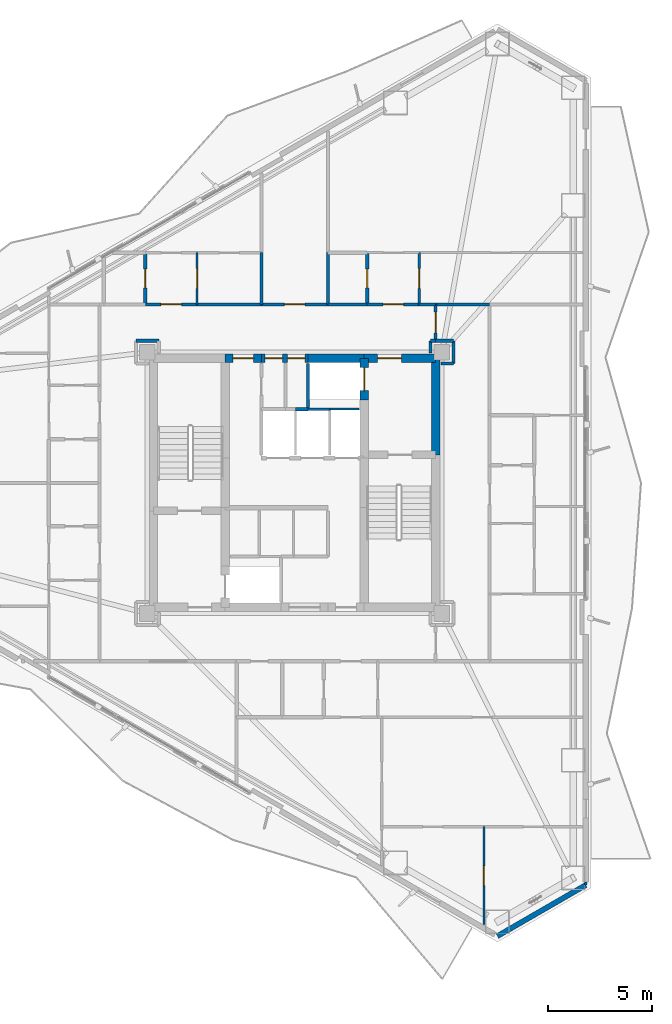
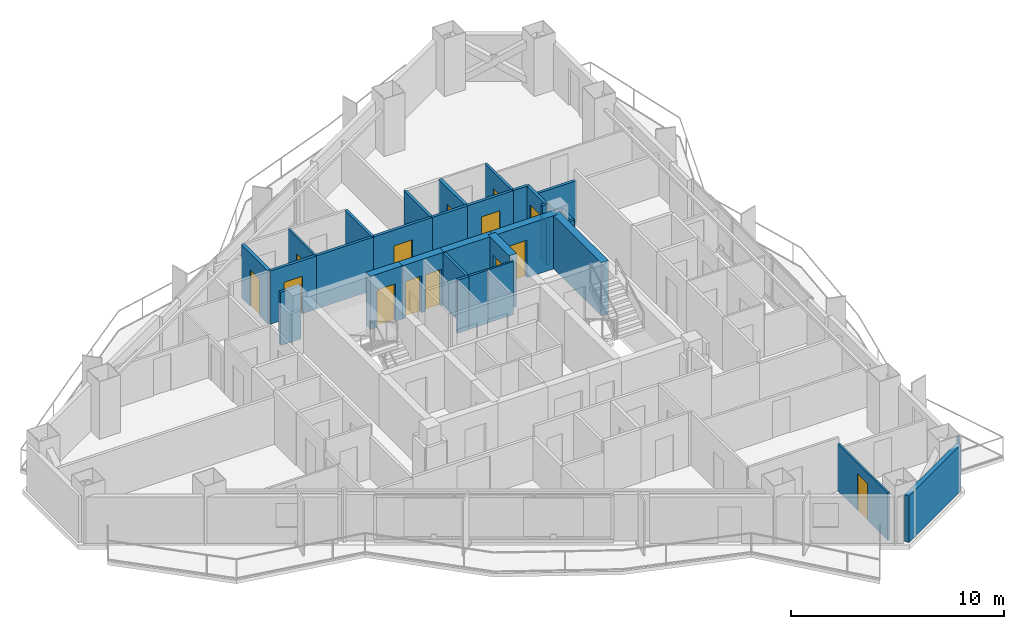
# One storey, part 18 of 23: 33 walls, 14 doors, 14 openings.
"""IFC4 building model written with IfcOpenShell, lengths in metres."""

from ifc_helpers import new_model, si_unit, direction, frame, frame_2d, origin, place, context, subcontext, project, spatial, rectangle, extrude, material, layer, layer_set, type_object, element, fill, save


model = new_model("IFC4")

# Units and contexts
model_context = context("Model", 3, precision=1e-05, world=origin(), true_north=direction((0.0, 1.0)))
body_context = subcontext(model_context, "Body", "Model", "MODEL_VIEW")
ifc_project = project(units=[si_unit("LENGTHUNIT", "METRE"), si_unit("AREAUNIT", "SQUARE_METRE"), si_unit("VOLUMEUNIT", "CUBIC_METRE"), si_unit("PLANEANGLEUNIT", "RADIAN"), si_unit("MASSUNIT", "GRAM", prefix="KILO")], contexts=[model_context])

# Site, building, storey
site_placement = place(None, origin())
site = spatial("IfcSite", under=ifc_project, at=site_placement, CompositionType="ELEMENT")
building_placement = place(site_placement, origin())
building = spatial("IfcBuilding", under=site, at=building_placement, Name="Mersakhor Tower and Convention Hall", CompositionType="ELEMENT")
storey_placement = place(building_placement, frame((0.0, 0.0, 106.5)))
storey = spatial("IfcBuildingStorey", under=building, at=storey_placement, Name="L29", CompositionType="ELEMENT", Elevation=106.5)

# Wall
ifc_material_1 = material(Name="Precast concrete C40/50", Category="concrete")
ifc_layer_1 = layer(ifc_material_1, 0.25)
ifc_layer_set_1 = layer_set([ifc_layer_1], Name="Precast concrete C40/50")
wall_type_1 = type_object("IfcWallType", Name="WL-EXT-250", PredefinedType="SOLIDWALL", material=ifc_layer_set_1)
wall_1_placement = place(storey_placement, frame((43.03466796875, 7.355712890625, 0.0), z_axis=(0.0, 0.0, 1.0), x_axis=(-0.866011848704, -0.500023477353, 0.0)))
element("IfcWall", 1, at=wall_1_placement, inside=storey, type_object=wall_type_1, Name="L29 Chamfer Braced Spandrel Wall C2", PredefinedType="SOLIDWALL", context=body_context, shape_type="SweptSolid", body=[
    extrude(rectangle(XDim=4.914306640625, YDim=0.25, at=frame_2d((2.45703125, 0.0))), origin(), (0.0, 0.0, 1.0), 2.669921875),
])

# Wall, opening, door
ifc_material_2 = material(Name="Moisture-resistant acoustic drywall studwork", Category="other")
ifc_layer_2 = layer(ifc_material_2, 0.175048828125)
ifc_layer_set_2 = layer_set([ifc_layer_2], Name="Moisture-resistant acoustic drywall studwork")
wall_type_2 = type_object("IfcWallType", Name="WL-PLM-175", PredefinedType="PLUMBINGWALL", material=ifc_layer_set_2)
wall_2_placement = place(storey_placement, frame((21.800048828125, 35.35009765625, 0.0), z_axis=(0.0, 0.0, 1.0), x_axis=(0.0, 1.0, 0.0)))
wall_2 = element("IfcWall", 2, at=wall_2_placement, inside=storey, type_object=wall_type_2, Name="L29 Interior Partition Wall P-067", PredefinedType="PLUMBINGWALL", context=body_context, shape_type="SweptSolid", body=[
    extrude(rectangle(XDim=2.5, YDim=0.175048828125, at=frame_2d((1.25, 0.0))), origin(), (0.0, 0.0, 1.0), 3.050048828125),
])
opening_1_placement = place(wall_2_placement, frame((0.800048828125, 0.0, 0.0)))
opening_1 = element("IfcOpeningElement", 3, at=opening_1_placement, cuts=wall_2, Name="Opening WD-01", PredefinedType="OPENING", context=body_context, shape_type="SweptSolid", body=[
    extrude(rectangle(XDim=0.89990234375, YDim=2.10009765625, at=frame_2d((0.449951171875, 1.050048828125))), frame((0.0, 0.097412109375, 0.0), z_axis=(0.0, -1.0, 0.0), x_axis=(1.0, 0.0, 0.0)), (0.0, 0.0, 1.0), 0.195068359375),
])
ifc_material_3 = material(Name="Solid-core hardwood leaf in painted steel frame", Category="steel")
door_type_1 = type_object("IfcDoorType", Name="DR-INT-WET-090x210", OperationType="NOTDEFINED", PredefinedType="DOOR", material=ifc_material_3)
door_1_placement = place(opening_1_placement, origin())
door_1 = element("IfcDoor", 4, at=door_1_placement, inside=storey, type_object=door_type_1, Name="L29 L29 Flat N1 Apartment Hall to L29 Flat N1 Bathroom Door", OperationType="SINGLE_SWING_RIGHT", OverallHeight=2.10009765625, OverallWidth=0.89990234375, PredefinedType="DOOR", context=body_context, shape_type="SweptSolid", body=[
    extrude(rectangle(XDim=0.89990234375, YDim=2.10009765625, at=frame_2d((0.449951171875, 1.050048828125))), frame((0.0, 0.02490234375, 0.0), z_axis=(0.0, -1.0, 0.0), x_axis=(1.0, 0.0, 0.0)), (0.0, 0.0, 1.0), 0.050048828125),
])
fill(opening_1, door_1)

wall_3_placement = place(storey_placement, frame((32.5, 35.35009765625, 0.0), z_axis=(0.0, 0.0, 1.0), x_axis=(0.0, 1.0, 0.0)))
wall_3 = element("IfcWall", 5, at=wall_3_placement, inside=storey, type_object=wall_type_2, Name="L29 Interior Partition Wall P-070", PredefinedType="PLUMBINGWALL", context=body_context, shape_type="SweptSolid", body=[
    extrude(rectangle(XDim=2.5, YDim=0.175048828125, at=frame_2d((1.25, 0.0))), origin(), (0.0, 0.0, 1.0), 3.050048828125),
])
opening_2_placement = place(wall_3_placement, frame((0.800048828125, 0.0, 0.0)))
opening_2 = element("IfcOpeningElement", 6, at=opening_2_placement, cuts=wall_3, Name="Opening WD-01", PredefinedType="OPENING", context=body_context, shape_type="SweptSolid", body=[
    extrude(rectangle(XDim=0.89990234375, YDim=2.10009765625, at=frame_2d((0.449951171875, 1.050048828125))), frame((0.0, 0.097412109375, 0.0), z_axis=(0.0, -1.0, 0.0), x_axis=(1.0, 0.0, 0.0)), (0.0, 0.0, 1.0), 0.195068359375),
])
door_2_placement = place(opening_2_placement, origin())
door_2 = element("IfcDoor", 7, at=door_2_placement, inside=storey, type_object=door_type_1, Name="L29 L29 Flat N2 Apartment Hall to L29 Flat N2 Bathroom Door", OperationType="SINGLE_SWING_LEFT", OverallHeight=2.10009765625, OverallWidth=0.89990234375, PredefinedType="DOOR", context=body_context, shape_type="SweptSolid", body=[
    extrude(rectangle(XDim=0.89990234375, YDim=2.10009765625, at=frame_2d((0.449951171875, 1.050048828125))), frame((0.0, 0.02490234375, 0.0), z_axis=(0.0, -1.0, 0.0), x_axis=(1.0, 0.0, 0.0)), (0.0, 0.0, 1.0), 0.050048828125),
])
fill(opening_2, door_2)

# Wall
ifc_material_4 = material(Name="Lightweight gypsum partition", Category="other")
ifc_layer_3 = layer(ifc_material_4, 0.10009765625)
ifc_layer_set_3 = layer_set([ifc_layer_3], Name="Lightweight gypsum partition")
wall_type_3 = type_object("IfcWallType", Name="WL-PRT-100", PredefinedType="PARTITIONING", material=ifc_layer_set_3)
wall_4_placement = place(storey_placement, frame((32.10009765625, 30.300048828125, 0.0), z_axis=(0.0, 0.0, 1.0), x_axis=(-1.0, 0.0, 0.0)))
element("IfcWall", 8, at=wall_4_placement, inside=storey, type_object=wall_type_3, Name="L29 Interior Partition Wall P-004", PredefinedType="PARTITIONING", context=body_context, shape_type="SweptSolid", body=[
    extrude(rectangle(XDim=1.400146484375, YDim=0.10009765625, at=frame_2d((0.7001953125, 0.0))), origin(), (0.0, 0.0, 1.0), 3.050048828125),
])

# Wall, opening, door
wall_5_placement = place(storey_placement, frame((24.300048828125, 37.85009765625, 0.0), z_axis=(0.0, 0.0, 1.0), x_axis=(0.0, -1.0, 0.0)))
wall_5 = element("IfcWall", 9, at=wall_5_placement, inside=storey, type_object=wall_type_3, Name="L29 Interior Partition Wall P-066", PredefinedType="PARTITIONING", context=body_context, shape_type="SweptSolid", body=[
    extrude(rectangle(XDim=2.5, YDim=0.10009765625, at=frame_2d((1.25, 0.0))), origin(), (0.0, 0.0, 1.0), 3.050048828125),
])
opening_3_placement = place(wall_5_placement, frame((0.77490234375, 0.0, 0.0)))
opening_3 = element("IfcOpeningElement", 10, at=opening_3_placement, cuts=wall_5, Name="Opening RD-01", PredefinedType="OPENING", context=body_context, shape_type="SweptSolid", body=[
    extrude(rectangle(XDim=0.949951171875, YDim=2.10009765625, at=frame_2d((0.47509765625, 1.050048828125))), frame((0.0, 0.06005859375, 0.0), z_axis=(0.0, -1.0, 0.0), x_axis=(1.0, 0.0, 0.0)), (0.0, 0.0, 1.0), 0.1201171875),
])
ifc_material_5 = material(Name="Solid-core hardwood leaf in painted steel frame", Category="steel")
door_type_2 = type_object("IfcDoorType", Name="DR-INT-RM-095x210", OperationType="NOTDEFINED", PredefinedType="DOOR", material=ifc_material_5)
door_3_placement = place(opening_3_placement, origin())
door_3 = element("IfcDoor", 11, at=door_3_placement, inside=storey, type_object=door_type_2, Name="L29 L29 Flat N1 Apartment Hall to L29 Flat N1 Kitchen Door", OperationType="SINGLE_SWING_LEFT", OverallHeight=2.10009765625, OverallWidth=0.949951171875, PredefinedType="DOOR", context=body_context, shape_type="SweptSolid", body=[
    extrude(rectangle(XDim=0.949951171875, YDim=2.10009765625, at=frame_2d((0.47509765625, 1.050048828125))), frame((0.0, 0.02490234375, 0.0), z_axis=(0.0, -1.0, 0.0), x_axis=(1.0, 0.0, 0.0)), (0.0, 0.0, 1.0), 0.050048828125),
])
fill(opening_3, door_3)

wall_6_placement = place(storey_placement, frame((38.1201171875, 10.169921875, 0.0), z_axis=(0.0, 0.0, 1.0), x_axis=(0.0, -1.0, 0.0)))
wall_6 = element("IfcWall", 12, at=wall_6_placement, inside=storey, type_object=wall_type_3, Name="L29 Interior Partition Wall P-122", PredefinedType="PARTITIONING", context=body_context, shape_type="SweptSolid", body=[
    extrude(rectangle(XDim=4.718994140625, YDim=0.10009765625, at=frame_2d((2.359375, 0.0))), origin(), (0.0, 0.0, 1.0), 2.714599609375),
])
opening_4_placement = place(wall_6_placement, frame((1.884521484375, 0.0, 0.0)))
opening_4 = element("IfcOpeningElement", 13, at=opening_4_placement, cuts=wall_6, Name="Opening RD-01", PredefinedType="OPENING", context=body_context, shape_type="SweptSolid", body=[
    extrude(rectangle(XDim=0.949951171875, YDim=2.10009765625, at=frame_2d((0.47509765625, 1.050048828125))), frame((0.0, 0.06005859375, 0.0), z_axis=(0.0, -1.0, 0.0), x_axis=(1.0, 0.0, 0.0)), (0.0, 0.0, 1.0), 0.1201171875),
])
door_4_placement = place(opening_4_placement, origin())
door_4 = element("IfcDoor", 14, at=door_4_placement, inside=storey, type_object=door_type_2, Name="L29 L29 Flat S3 Bedroom 1 to L29 Flat S3 Study Room Door", OperationType="SINGLE_SWING_RIGHT", OverallHeight=2.10009765625, OverallWidth=0.949951171875, PredefinedType="DOOR", context=body_context, shape_type="SweptSolid", body=[
    extrude(rectangle(XDim=0.949951171875, YDim=2.10009765625, at=frame_2d((0.47509765625, 1.050048828125))), frame((0.0, 0.02490234375, 0.0), z_axis=(0.0, -1.0, 0.0), x_axis=(1.0, 0.0, 0.0)), (0.0, 0.0, 1.0), 0.050048828125),
])
fill(opening_4, door_4)

# Walls
wall_7_placement = place(storey_placement, frame((43.034912109375, 7.505615234375, 0.0), z_axis=(0.0, 0.0, 1.0), x_axis=(0.0, -1.0, 0.0)))
element("IfcWall", 15, at=wall_7_placement, inside=storey, type_object=wall_type_3, Name="L29 Interior Partition Wall P-124", PredefinedType="PARTITIONING", context=body_context, shape_type="SweptSolid", body=[
    extrude(rectangle(XDim=0.149658203125, YDim=0.10009765625, at=frame_2d((0.07470703125, 0.0))), origin(), (0.0, 0.0, 1.0), 3.050048828125),
])
ifc_material_6 = material(Name="Gypsum board acoustic partition", Category="other")
ifc_layer_4 = layer(ifc_material_6, 0.125)
ifc_layer_set_4 = layer_set([ifc_layer_4], Name="Gypsum board acoustic partition")
wall_type_4 = type_object("IfcWallType", Name="WL-PRT-125", PredefinedType="PARTITIONING", material=ifc_layer_set_4)
wall_8_placement = place(storey_placement, frame((30.699951171875, 30.300048828125, 0.0), z_axis=(0.0, 0.0, 1.0), x_axis=(-1.0, 0.0, 0.0)))
element("IfcWall", 16, at=wall_8_placement, inside=storey, type_object=wall_type_4, Name="L29 Interior Partition Wall P-005", PredefinedType="PARTITIONING", context=body_context, shape_type="SweptSolid", body=[
    extrude(rectangle(XDim=1.050048828125, YDim=0.125, at=frame_2d((0.52490234375, 0.0))), origin(), (0.0, 0.0, 1.0), 3.050048828125),
])

# Wall, opening, door
wall_9_placement = place(storey_placement, frame((35.0, 37.85009765625, 0.0), z_axis=(0.0, 0.0, 1.0), x_axis=(0.0, -1.0, 0.0)))
wall_9 = element("IfcWall", 17, at=wall_9_placement, inside=storey, type_object=wall_type_4, Name="L29 Interior Partition Wall P-069", PredefinedType="PARTITIONING", context=body_context, shape_type="SweptSolid", body=[
    extrude(rectangle(XDim=2.5, YDim=0.125, at=frame_2d((1.25, 0.0))), origin(), (0.0, 0.0, 1.0), 3.050048828125),
])
opening_5_placement = place(wall_9_placement, frame((0.77490234375, 0.0, 0.0)))
opening_5 = element("IfcOpeningElement", 18, at=opening_5_placement, cuts=wall_9, Name="Opening RD-01", PredefinedType="OPENING", context=body_context, shape_type="SweptSolid", body=[
    extrude(rectangle(XDim=0.949951171875, YDim=2.10009765625, at=frame_2d((0.47509765625, 1.050048828125))), frame((0.0, 0.072509765625, 0.0), z_axis=(0.0, -1.0, 0.0), x_axis=(1.0, 0.0, 0.0)), (0.0, 0.0, 1.0), 0.14501953125),
])
door_5_placement = place(opening_5_placement, origin())
door_5 = element("IfcDoor", 19, at=door_5_placement, inside=storey, type_object=door_type_2, Name="L29 L29 Flat N2 Apartment Hall to L29 Flat N2 Kitchen Door", OperationType="SINGLE_SWING_RIGHT", OverallHeight=2.10009765625, OverallWidth=0.949951171875, PredefinedType="DOOR", context=body_context, shape_type="SweptSolid", body=[
    extrude(rectangle(XDim=0.949951171875, YDim=2.10009765625, at=frame_2d((0.47509765625, 1.050048828125))), frame((0.0, 0.02490234375, 0.0), z_axis=(0.0, -1.0, 0.0), x_axis=(1.0, 0.0, 0.0)), (0.0, 0.0, 1.0), 0.050048828125),
])
fill(opening_5, door_5)

# Walls
ifc_material_7 = material(Name="Fire-rated gypsum board stud partition", Category="other")
ifc_layer_5 = layer(ifc_material_7, 0.14990234375)
ifc_layer_set_5 = layer_set([ifc_layer_5], Name="Fire-rated gypsum board stud partition")
wall_type_5 = type_object("IfcWallType", Name="WL-PRT-150", PredefinedType="PARTITIONING", material=ifc_layer_set_5)
wall_10_placement = place(storey_placement, frame((29.64990234375, 30.300048828125, 0.0), z_axis=(0.0, 0.0, 1.0), x_axis=(0.0, 1.0, 0.0)))
element("IfcWall", 20, at=wall_10_placement, inside=storey, type_object=wall_type_5, Name="L29 Interior Partition Wall P-006", PredefinedType="PARTITIONING", context=body_context, shape_type="SweptSolid", body=[
    extrude(rectangle(XDim=2.199951171875, YDim=0.14990234375, at=frame_2d((1.10009765625, 0.0))), origin(), (0.0, 0.0, 1.0), 3.050048828125),
])
wall_11_placement = place(storey_placement, frame((29.050048828125, 30.300048828125, 0.0), z_axis=(0.0, 0.0, 1.0), x_axis=(1.0, 0.0, 0.0)))
element("IfcWall", 21, at=wall_11_placement, inside=storey, type_object=wall_type_5, Name="L29 Interior Partition Wall P-016", PredefinedType="PARTITIONING", context=body_context, shape_type="SweptSolid", body=[
    extrude(rectangle(XDim=0.599853515625, YDim=0.14990234375, at=frame_2d((0.2998046875, 0.0))), origin(), (0.0, 0.0, 1.0), 3.050048828125),
])

# Wall, opening, door
wall_12_placement = place(storey_placement, frame((21.800048828125, 35.35009765625, 0.0), z_axis=(0.0, 0.0, 1.0), x_axis=(1.0, 0.0, 0.0)))
wall_12 = element("IfcWall", 22, at=wall_12_placement, inside=storey, type_object=wall_type_5, Name="L29 Interior Partition Wall P-037", PredefinedType="PARTITIONING", context=body_context, shape_type="SweptSolid", body=[
    extrude(rectangle(XDim=2.5, YDim=0.14990234375, at=frame_2d((1.25, 0.0))), origin(), (0.0, 0.0, 1.0), 3.050048828125),
])
opening_6_placement = place(wall_12_placement, frame((0.75, 0.0, 0.0)))
opening_6 = element("IfcOpeningElement", 23, at=opening_6_placement, cuts=wall_12, Name="Opening FD-01", PredefinedType="OPENING", context=body_context, shape_type="SweptSolid", body=[
    extrude(rectangle(XDim=1.0, YDim=2.14990234375, at=frame_2d((0.5, 1.074951171875))), frame((0.0, 0.0849609375, 0.0), z_axis=(0.0, -1.0, 0.0), x_axis=(1.0, 0.0, 0.0)), (0.0, 0.0, 1.0), 0.169921875),
])
ifc_material_8 = material(Name="Fire-rated hardwood leaf and painted steel frame", Category="steel")
door_type_3 = type_object("IfcDoorType", Name="DR-INT-FLT-100x215", OperationType="NOTDEFINED", PredefinedType="DOOR", material=ifc_material_8)
door_6_placement = place(opening_6_placement, origin())
door_6 = element("IfcDoor", 24, at=door_6_placement, inside=storey, type_object=door_type_3, Name="L29 Apartment Entrance Door (Residential Ring Corridor to L29 Flat N1 Apartment Hall)", OperationType="SINGLE_SWING_LEFT", OverallHeight=2.14990234375, OverallWidth=1.0, PredefinedType="DOOR", context=body_context, shape_type="SweptSolid", body=[
    extrude(rectangle(XDim=1.0, YDim=2.14990234375, at=frame_2d((0.5, 1.074951171875))), frame((0.0, 0.02490234375, 0.0), z_axis=(0.0, -1.0, 0.0), x_axis=(1.0, 0.0, 0.0)), (0.0, 0.0, 1.0), 0.050048828125),
])
fill(opening_6, door_6)

# Wall
wall_13_placement = place(storey_placement, frame((24.300048828125, 35.35009765625, 0.0), z_axis=(0.0, 0.0, 1.0), x_axis=(1.0, 0.0, 0.0)))
element("IfcWall", 25, at=wall_13_placement, inside=storey, type_object=wall_type_5, Name="L29 Interior Partition Wall P-038", PredefinedType="PARTITIONING", context=body_context, shape_type="SweptSolid", body=[
    extrude(rectangle(XDim=3.099853515625, YDim=0.14990234375, at=frame_2d((1.5498046875, 0.0))), origin(), (0.0, 0.0, 1.0), 3.050048828125),
])

# Wall, opening, door
wall_14_placement = place(storey_placement, frame((27.39990234375, 35.35009765625, 0.0), z_axis=(0.0, 0.0, 1.0), x_axis=(1.0, 0.0, 0.0)))
wall_14 = element("IfcWall", 26, at=wall_14_placement, inside=storey, type_object=wall_type_5, Name="L29 Interior Partition Wall P-039", PredefinedType="PARTITIONING", context=body_context, shape_type="SweptSolid", body=[
    extrude(rectangle(XDim=3.2001953125, YDim=0.14990234375, at=frame_2d((1.60009765625, 0.0))), origin(), (0.0, 0.0, 1.0), 3.050048828125),
])
opening_7_placement = place(wall_14_placement, frame((1.10009765625, 0.0, 0.0)))
opening_7 = element("IfcOpeningElement", 27, at=opening_7_placement, cuts=wall_14, Name="Opening FD-01", PredefinedType="OPENING", context=body_context, shape_type="SweptSolid", body=[
    extrude(rectangle(XDim=1.0, YDim=2.14990234375, at=frame_2d((0.5, 1.074951171875))), frame((0.0, 0.0849609375, 0.0), z_axis=(0.0, -1.0, 0.0), x_axis=(1.0, 0.0, 0.0)), (0.0, 0.0, 1.0), 0.169921875),
])
door_7_placement = place(opening_7_placement, origin())
door_7 = element("IfcDoor", 28, at=door_7_placement, inside=storey, type_object=door_type_3, Name="L29 Residential Ring Corridor to L29 North Wing Quiet Study Room Door", OperationType="SINGLE_SWING_LEFT", OverallHeight=2.14990234375, OverallWidth=1.0, PredefinedType="DOOR", context=body_context, shape_type="SweptSolid", body=[
    extrude(rectangle(XDim=1.0, YDim=2.14990234375, at=frame_2d((0.5, 1.074951171875))), frame((0.0, 0.02490234375, 0.0), z_axis=(0.0, -1.0, 0.0), x_axis=(1.0, 0.0, 0.0)), (0.0, 0.0, 1.0), 0.050048828125),
])
fill(opening_7, door_7)

# Wall
wall_15_placement = place(storey_placement, frame((30.60009765625, 35.35009765625, 0.0), z_axis=(0.0, 0.0, 1.0), x_axis=(1.0, 0.0, 0.0)))
element("IfcWall", 29, at=wall_15_placement, inside=storey, type_object=wall_type_5, Name="L29 Interior Partition Wall P-040", PredefinedType="PARTITIONING", context=body_context, shape_type="SweptSolid", body=[
    extrude(rectangle(XDim=1.89990234375, YDim=0.14990234375, at=frame_2d((0.949951171875, 0.0))), origin(), (0.0, 0.0, 1.0), 3.050048828125),
])

# Wall, opening, door
wall_16_placement = place(storey_placement, frame((32.5, 35.35009765625, 0.0), z_axis=(0.0, 0.0, 1.0), x_axis=(1.0, 0.0, 0.0)))
wall_16 = element("IfcWall", 30, at=wall_16_placement, inside=storey, type_object=wall_type_5, Name="L29 Interior Partition Wall P-041", PredefinedType="PARTITIONING", context=body_context, shape_type="SweptSolid", body=[
    extrude(rectangle(XDim=2.5, YDim=0.14990234375, at=frame_2d((1.25, 0.0))), origin(), (0.0, 0.0, 1.0), 3.050048828125),
])
opening_8_placement = place(wall_16_placement, frame((0.75, 0.0, 0.0)))
opening_8 = element("IfcOpeningElement", 31, at=opening_8_placement, cuts=wall_16, Name="Opening FD-01", PredefinedType="OPENING", context=body_context, shape_type="SweptSolid", body=[
    extrude(rectangle(XDim=1.0, YDim=2.14990234375, at=frame_2d((0.5, 1.074951171875))), frame((0.0, 0.0849609375, 0.0), z_axis=(0.0, -1.0, 0.0), x_axis=(1.0, 0.0, 0.0)), (0.0, 0.0, 1.0), 0.169921875),
])
door_8_placement = place(opening_8_placement, origin())
door_8 = element("IfcDoor", 32, at=door_8_placement, inside=storey, type_object=door_type_3, Name="L29 Apartment Entrance Door (Residential Ring Corridor to L29 Flat N2 Apartment Hall)", OperationType="SINGLE_SWING_RIGHT", OverallHeight=2.14990234375, OverallWidth=1.0, PredefinedType="DOOR", context=body_context, shape_type="SweptSolid", body=[
    extrude(rectangle(XDim=1.0, YDim=2.14990234375, at=frame_2d((0.5, 1.074951171875))), frame((0.0, 0.02490234375, 0.0), z_axis=(0.0, -1.0, 0.0), x_axis=(1.0, 0.0, 0.0)), (0.0, 0.0, 1.0), 0.050048828125),
])
fill(opening_8, door_8)

# Wall
wall_17_placement = place(storey_placement, frame((35.0, 35.35009765625, 0.0), z_axis=(0.0, 0.0, 1.0), x_axis=(1.0, 0.0, 0.0)))
element("IfcWall", 33, at=wall_17_placement, inside=storey, type_object=wall_type_5, Name="L29 Interior Partition Wall P-042", PredefinedType="PARTITIONING", context=body_context, shape_type="SweptSolid", body=[
    extrude(rectangle(XDim=0.800048828125, YDim=0.14990234375, at=frame_2d((0.39990234375, 0.0))), origin(), (0.0, 0.0, 1.0), 3.050048828125),
])

# Wall, opening, door
wall_18_placement = place(storey_placement, frame((35.800048828125, 35.35009765625, 0.0), z_axis=(0.0, 0.0, 1.0), x_axis=(0.0, -1.0, 0.0)))
wall_18 = element("IfcWall", 34, at=wall_18_placement, inside=storey, type_object=wall_type_5, Name="L29 Interior Partition Wall P-043", PredefinedType="PARTITIONING", context=body_context, shape_type="SweptSolid", body=[
    extrude(rectangle(XDim=1.75, YDim=0.14990234375, at=frame_2d((0.875, 0.0))), origin(), (0.0, 0.0, 1.0), 3.050048828125),
])
opening_9_placement = place(wall_18_placement, frame((0.375, 0.0, 0.0)))
opening_9 = element("IfcOpeningElement", 35, at=opening_9_placement, cuts=wall_18, Name="Opening FD-01", PredefinedType="OPENING", context=body_context, shape_type="SweptSolid", body=[
    extrude(rectangle(XDim=1.0, YDim=2.14990234375, at=frame_2d((0.5, 1.074951171875))), frame((0.0, 0.0849609375, 0.0), z_axis=(0.0, -1.0, 0.0), x_axis=(1.0, 0.0, 0.0)), (0.0, 0.0, 1.0), 0.169921875),
])
door_9_placement = place(opening_9_placement, origin())
door_9 = element("IfcDoor", 36, at=door_9_placement, inside=storey, type_object=door_type_3, Name="L29 Ring Corridor Fire Door", OperationType="SINGLE_SWING_RIGHT", OverallHeight=2.14990234375, OverallWidth=1.0, PredefinedType="DOOR", context=body_context, shape_type="SweptSolid", body=[
    extrude(rectangle(XDim=1.0, YDim=2.14990234375, at=frame_2d((0.5, 1.074951171875))), frame((0.0, 0.02490234375, 0.0), z_axis=(0.0, -1.0, 0.0), x_axis=(1.0, 0.0, 0.0)), (0.0, 0.0, 1.0), 0.050048828125),
])
fill(opening_9, door_9)

# Walls
wall_19_placement = place(storey_placement, frame((35.800048828125, 33.60009765625, 0.0), z_axis=(0.0, 0.0, 1.0), x_axis=(-1.0, 0.0, 0.0)))
element("IfcWall", 37, at=wall_19_placement, inside=storey, type_object=wall_type_5, Name="L29 Interior Partition Wall P-044", PredefinedType="PARTITIONING", context=body_context, shape_type="SweptSolid", body=[
    extrude(rectangle(XDim=0.25, YDim=0.14990234375, at=frame_2d((0.125, 0.0))), origin(), (0.0, 0.0, 1.0), 3.050048828125),
])
wall_20_placement = place(storey_placement, frame((35.550048828125, 33.60009765625, 0.0), z_axis=(0.0, 0.0, 1.0), x_axis=(0.0, -1.0, 0.0)))
element("IfcWall", 38, at=wall_20_placement, inside=storey, type_object=wall_type_5, Name="L29 Interior Partition Wall P-045", PredefinedType="PARTITIONING", context=body_context, shape_type="SweptSolid", body=[
    extrude(rectangle(XDim=0.60009765625, YDim=0.14990234375, at=frame_2d((0.300048828125, 0.0))), origin(), (0.0, 0.0, 1.0), 2.498291015625),
])
wall_21_placement = place(storey_placement, frame((22.449951171875, 33.60009765625, 0.0), z_axis=(0.0, 0.0, 1.0), x_axis=(-1.0, 0.0, 0.0)))
element("IfcWall", 39, at=wall_21_placement, inside=storey, type_object=wall_type_5, Name="L29 Interior Partition Wall P-047", PredefinedType="PARTITIONING", context=body_context, shape_type="SweptSolid", body=[
    extrude(rectangle(XDim=1.099853515625, YDim=0.14990234375, at=frame_2d((0.5498046875, 0.0))), origin(), (0.0, 0.0, 1.0), 3.050048828125),
])
wall_22_placement = place(storey_placement, frame((36.050048828125, 32.5, 0.0), z_axis=(0.0, 0.0, 1.0), x_axis=(1.0, 0.0, 0.0)))
element("IfcWall", 40, at=wall_22_placement, inside=storey, type_object=wall_type_5, Name="L29 Interior Partition Wall P-053", PredefinedType="PARTITIONING", context=body_context, shape_type="SweptSolid", body=[
    extrude(rectangle(XDim=0.599853515625, YDim=0.14990234375, at=frame_2d((0.2998046875, 0.0))), origin(), (0.0, 0.0, 1.0), 2.498291015625),
])
wall_23_placement = place(storey_placement, frame((36.64990234375, 32.5, 0.0), z_axis=(0.0, 0.0, 1.0), x_axis=(0.0, 1.0, 0.0)))
element("IfcWall", 41, at=wall_23_placement, inside=storey, type_object=wall_type_5, Name="L29 Interior Partition Wall P-054", PredefinedType="PARTITIONING", context=body_context, shape_type="SweptSolid", body=[
    extrude(rectangle(XDim=1.10009765625, YDim=0.14990234375, at=frame_2d((0.550048828125, 0.0))), origin(), (0.0, 0.0, 1.0), 2.4228515625),
])
wall_24_placement = place(storey_placement, frame((36.64990234375, 33.60009765625, 0.0), z_axis=(0.0, 0.0, 1.0), x_axis=(-1.0, 0.0, 0.0)))
element("IfcWall", 42, at=wall_24_placement, inside=storey, type_object=wall_type_5, Name="L29 Interior Partition Wall P-055", PredefinedType="PARTITIONING", context=body_context, shape_type="SweptSolid", body=[
    extrude(rectangle(XDim=0.849853515625, YDim=0.14990234375, at=frame_2d((0.4248046875, 0.0))), origin(), (0.0, 0.0, 1.0), 2.4228515625),
])
wall_25_placement = place(storey_placement, frame((35.800048828125, 35.35009765625, 0.0), z_axis=(0.0, 0.0, 1.0), x_axis=(1.0, 0.0, 0.0)))
element("IfcWall", 43, at=wall_25_placement, inside=storey, type_object=wall_type_5, Name="L29 Interior Partition Wall P-056", PredefinedType="PARTITIONING", context=body_context, shape_type="SweptSolid", body=[
    extrude(rectangle(XDim=2.599853515625, YDim=0.14990234375, at=frame_2d((1.2998046875, 0.0))), origin(), (0.0, 0.0, 1.0), 2.4228515625),
])
for number, where, z_axis, x_axis, name in (
    (44, (27.39990234375, 37.85009765625, 0.0), (0.0, 0.0, 1.0), (0.0, -1.0, 0.0), "L29 Interior Partition Wall P-090"),
    (45, (30.60009765625, 35.35009765625, 0.0), (0.0, 0.0, 1.0), (0.0, 1.0, 0.0), "L29 Interior Partition Wall P-092"),
):
    element("IfcWall", number, at=place(storey_placement, frame(where, z_axis=z_axis, x_axis=x_axis)), inside=storey, type_object=wall_type_5, Name=name, PredefinedType="PARTITIONING", context=body_context, shape_type="SweptSolid", body=[
        extrude(rectangle(XDim=2.5, YDim=0.14990234375, at=frame_2d((1.25, 0.0))), origin(), (0.0, 0.0, 1.0), 3.050048828125),
    ])

# Wall, opening, door
ifc_material_9 = material(Name="Concrete C60/75", Category="concrete")
ifc_layer_6 = layer(ifc_material_9, 0.39990234375)
ifc_layer_set_6 = layer_set([ifc_layer_6], Name="Concrete C60/75")
wall_type_6 = type_object("IfcWallType", Name="WL-SHR-400", PredefinedType="SHEAR", material=ifc_layer_set_6)
wall_26_placement = place(storey_placement, frame((25.64990234375, 32.75, 0.0), z_axis=(0.0, 0.0, 1.0), x_axis=(1.0, 0.0, 0.0)))
wall_26 = element("IfcWall", 46, at=wall_26_placement, inside=storey, type_object=wall_type_6, Name="L29 Core Wall CW-N2A", PredefinedType="SHEAR", context=body_context, shape_type="SweptSolid", body=[
    extrude(rectangle(XDim=1.75, YDim=0.39990234375, at=frame_2d((0.875, 0.0))), origin(), (0.0, 0.0, 1.0), 3.050048828125),
])
opening_10_placement = place(wall_26_placement, frame((0.375, 0.0, 0.0)))
opening_10 = element("IfcOpeningElement", 47, at=opening_10_placement, cuts=wall_26, Name="Opening CFD-01", PredefinedType="OPENING", context=body_context, shape_type="SweptSolid", body=[
    extrude(rectangle(XDim=1.0, YDim=2.14990234375, at=frame_2d((0.5, 1.074951171875))), frame((0.0, 0.2099609375, 0.0), z_axis=(0.0, -1.0, 0.0), x_axis=(1.0, 0.0, 0.0)), (0.0, 0.0, 1.0), 0.419921875),
])
ifc_material_10 = material(Name="Fire-rated hardwood leaf and painted steel frame", Category="steel")
door_type_4 = type_object("IfcDoorType", Name="DR-CORE-FD-100x215", OperationType="NOTDEFINED", PredefinedType="DOOR", material=ifc_material_10)
door_10_placement = place(opening_10_placement, origin())
door_10 = element("IfcDoor", 48, at=door_10_placement, inside=storey, type_object=door_type_4, Name="L29 Lift Lobby North Corridor Door", OperationType="SINGLE_SWING_LEFT", OverallHeight=2.14990234375, OverallWidth=1.0, PredefinedType="DOOR", context=body_context, shape_type="SweptSolid", body=[
    extrude(rectangle(XDim=1.0, YDim=2.14990234375, at=frame_2d((0.5, 1.074951171875))), frame((0.0, 0.02490234375, 0.0), z_axis=(0.0, -1.0, 0.0), x_axis=(1.0, 0.0, 0.0)), (0.0, 0.0, 1.0), 0.050048828125),
])
fill(opening_10, door_10)

# Wall, openings, doors
wall_27_placement = place(storey_placement, frame((27.39990234375, 32.75, 0.0), z_axis=(0.0, 0.0, 1.0), x_axis=(1.0, 0.0, 0.0)))
wall_27 = element("IfcWall", 49, at=wall_27_placement, inside=storey, type_object=wall_type_6, Name="L29 Core Wall CW-N2B", PredefinedType="SHEAR", context=body_context, shape_type="SweptSolid", body=[
    extrude(rectangle(XDim=2.25, YDim=0.39990234375, at=frame_2d((1.125, 0.0))), origin(), (0.0, 0.0, 1.0), 3.050048828125),
])
opening_11_placement = place(wall_27_placement, frame((0.169921875, 0.0, 0.0)))
opening_11 = element("IfcOpeningElement", 50, at=opening_11_placement, cuts=wall_27, Name="Opening SVD-01", PredefinedType="OPENING", context=body_context, shape_type="SweptSolid", body=[
    extrude(rectangle(XDim=0.85009765625, YDim=2.10009765625, at=frame_2d((0.425048828125, 1.050048828125))), frame((0.0, 0.2099609375, 0.0), z_axis=(0.0, -1.0, 0.0), x_axis=(1.0, 0.0, 0.0)), (0.0, 0.0, 1.0), 0.419921875),
])
opening_12_placement = place(wall_27_placement, frame((1.2548828125, 0.0, 0.0)))
opening_12 = element("IfcOpeningElement", 51, at=opening_12_placement, cuts=wall_27, Name="Opening SVD-01", PredefinedType="OPENING", context=body_context, shape_type="SweptSolid", body=[
    extrude(rectangle(XDim=0.85009765625, YDim=2.10009765625, at=frame_2d((0.425048828125, 1.050048828125))), frame((0.0, 0.2099609375, 0.0), z_axis=(0.0, -1.0, 0.0), x_axis=(1.0, 0.0, 0.0)), (0.0, 0.0, 1.0), 0.419921875),
])
ifc_material_11 = material(Name="Fire-rated hardwood leaf and painted steel frame", Category="steel")
door_type_5 = type_object("IfcDoorType", Name="DR-INT-SVC-085x210", OperationType="NOTDEFINED", PredefinedType="DOOR", material=ifc_material_11)
door_11_placement = place(opening_11_placement, origin())
door_11 = element("IfcDoor", 52, at=door_11_placement, inside=storey, type_object=door_type_5, Name="L29 Residential Ring Corridor to Telecoms Distribution Room Door", OperationType="SINGLE_SWING_LEFT", OverallHeight=2.10009765625, OverallWidth=0.85009765625, PredefinedType="DOOR", context=body_context, shape_type="SweptSolid", body=[
    extrude(rectangle(XDim=0.85009765625, YDim=2.10009765625, at=frame_2d((0.425048828125, 1.050048828125))), frame((0.0, 0.02490234375, 0.0), z_axis=(0.0, -1.0, 0.0), x_axis=(1.0, 0.0, 0.0)), (0.0, 0.0, 1.0), 0.050048828125),
])
fill(opening_11, door_11)
door_12_placement = place(opening_12_placement, origin())
door_12 = element("IfcDoor", 53, at=door_12_placement, inside=storey, type_object=door_type_5, Name="L29 Residential Ring Corridor to Floor Housekeeping Store Room Door", OperationType="SINGLE_SWING_RIGHT", OverallHeight=2.10009765625, OverallWidth=0.85009765625, PredefinedType="DOOR", context=body_context, shape_type="SweptSolid", body=[
    extrude(rectangle(XDim=0.85009765625, YDim=2.10009765625, at=frame_2d((0.425048828125, 1.050048828125))), frame((0.0, 0.02490234375, 0.0), z_axis=(0.0, -1.0, 0.0), x_axis=(1.0, 0.0, 0.0)), (0.0, 0.0, 1.0), 0.050048828125),
])
fill(opening_12, door_12)

# Wall
wall_28_placement = place(storey_placement, frame((29.64990234375, 32.75, 0.0), z_axis=(0.0, 0.0, 1.0), x_axis=(1.0, 0.0, 0.0)))
element("IfcWall", 54, at=wall_28_placement, inside=storey, type_object=wall_type_6, Name="L29 Core Wall CW-N3", PredefinedType="SHEAR", context=body_context, shape_type="SweptSolid", body=[
    extrude(rectangle(XDim=2.7001953125, YDim=0.39990234375, at=frame_2d((1.35009765625, 0.0))), origin(), (0.0, 0.0, 1.0), 3.050048828125),
])

# Wall, opening, door
wall_29_placement = place(storey_placement, frame((32.35009765625, 32.75, 0.0), z_axis=(0.0, 0.0, 1.0), x_axis=(1.0, 0.0, 0.0)))
wall_29 = element("IfcWall", 55, at=wall_29_placement, inside=storey, type_object=wall_type_6, Name="L29 Core Wall CW-N4", PredefinedType="SHEAR", context=body_context, shape_type="SweptSolid", body=[
    extrude(rectangle(XDim=3.449951171875, YDim=0.39990234375, at=frame_2d((1.72509765625, 0.0))), origin(), (0.0, 0.0, 1.0), 3.050048828125),
])
opening_13_placement = place(wall_29_placement, frame((0.64990234375, 0.0, 0.0)))
opening_13 = element("IfcOpeningElement", 56, at=opening_13_placement, cuts=wall_29, Name="Opening SD-01", PredefinedType="OPENING", context=body_context, shape_type="SweptSolid", body=[
    extrude(rectangle(XDim=1.14990234375, YDim=2.14990234375, at=frame_2d((0.574951171875, 1.074951171875))), frame((0.0, 0.2099609375, 0.0), z_axis=(0.0, -1.0, 0.0), x_axis=(1.0, 0.0, 0.0)), (0.0, 0.0, 1.0), 0.419921875),
])
ifc_material_12 = material(Name="Fire-rated hardwood leaf and painted steel frame", Category="steel")
door_type_6 = type_object("IfcDoorType", Name="DR-INT-STAIR-115x215", OperationType="NOTDEFINED", PredefinedType="DOOR", material=ifc_material_12)
door_13_placement = place(opening_13_placement, origin())
door_13 = element("IfcDoor", 57, at=door_13_placement, inside=storey, type_object=door_type_6, Name="L29 Firefighting Lobby East Fire Door", OperationType="SINGLE_SWING_RIGHT", OverallHeight=2.14990234375, OverallWidth=1.14990234375, PredefinedType="DOOR", context=body_context, shape_type="SweptSolid", body=[
    extrude(rectangle(XDim=1.14990234375, YDim=2.14990234375, at=frame_2d((0.574951171875, 1.074951171875))), frame((0.0, 0.02490234375, 0.0), z_axis=(0.0, -1.0, 0.0), x_axis=(1.0, 0.0, 0.0)), (0.0, 0.0, 1.0), 0.050048828125),
])
fill(opening_13, door_13)

# Wall
wall_30_placement = place(storey_placement, frame((35.800048828125, 32.75, 0.0), z_axis=(0.0, 0.0, 1.0), x_axis=(0.0, -1.0, 0.0)))
element("IfcWall", 58, at=wall_30_placement, inside=storey, type_object=wall_type_6, Name="L29 Core Wall CW-E1", PredefinedType="SHEAR", context=body_context, shape_type="SweptSolid", body=[
    extrude(rectangle(XDim=4.64990234375, YDim=0.39990234375, at=frame_2d((2.324951171875, 0.0))), origin(), (0.0, 0.0, 1.0), 3.050048828125),
])

# Wall, opening, door
wall_31_placement = place(storey_placement, frame((32.35009765625, 30.75, 0.0), z_axis=(0.0, 0.0, 1.0), x_axis=(0.0, 1.0, 0.0)))
wall_31 = element("IfcWall", 59, at=wall_31_placement, inside=storey, type_object=wall_type_6, Name="L29 Core Wall CS-E-FFL", PredefinedType="SHEAR", context=body_context, shape_type="SweptSolid", body=[
    extrude(rectangle(XDim=2.0, YDim=0.39990234375, at=frame_2d((1.0, 0.0))), origin(), (0.0, 0.0, 1.0), 3.050048828125),
])
opening_14_placement = place(wall_31_placement, frame((0.449951171875, 0.0, 0.0)))
opening_14 = element("IfcOpeningElement", 60, at=opening_14_placement, cuts=wall_31, Name="Opening LD-FFL2", PredefinedType="OPENING", context=body_context, shape_type="SweptSolid", body=[
    extrude(rectangle(XDim=1.10009765625, YDim=2.14990234375, at=frame_2d((0.550048828125, 1.074951171875))), frame((0.0, 0.2099609375, 0.0), z_axis=(0.0, -1.0, 0.0), x_axis=(1.0, 0.0, 0.0)), (0.0, 0.0, 1.0), 0.419921875),
])
ifc_material_13 = material(Name="Fire-rated brushed stainless steel sliding landing door", Category="steel")
door_type_7 = type_object("IfcDoorType", Name="DR-LIFT-SLD-110x215", OperationType="NOTDEFINED", PredefinedType="DOOR", material=ifc_material_13)
door_14_placement = place(opening_14_placement, origin())
door_14 = element("IfcDoor", 61, at=door_14_placement, inside=storey, type_object=door_type_7, Name="L29 Firefighting Lift Landing Door LD-FFL2", OperationType="SLIDING_TO_LEFT", OverallHeight=2.14990234375, OverallWidth=1.10009765625, PredefinedType="DOOR", context=body_context, shape_type="SweptSolid", body=[
    extrude(rectangle(XDim=1.10009765625, YDim=2.14990234375, at=frame_2d((0.550048828125, 1.074951171875))), frame((0.0, 0.02490234375, 0.0), z_axis=(0.0, -1.0, 0.0), x_axis=(1.0, 0.0, 0.0)), (0.0, 0.0, 1.0), 0.050048828125),
])
fill(opening_14, door_14)

save(model, "model.ifc")
